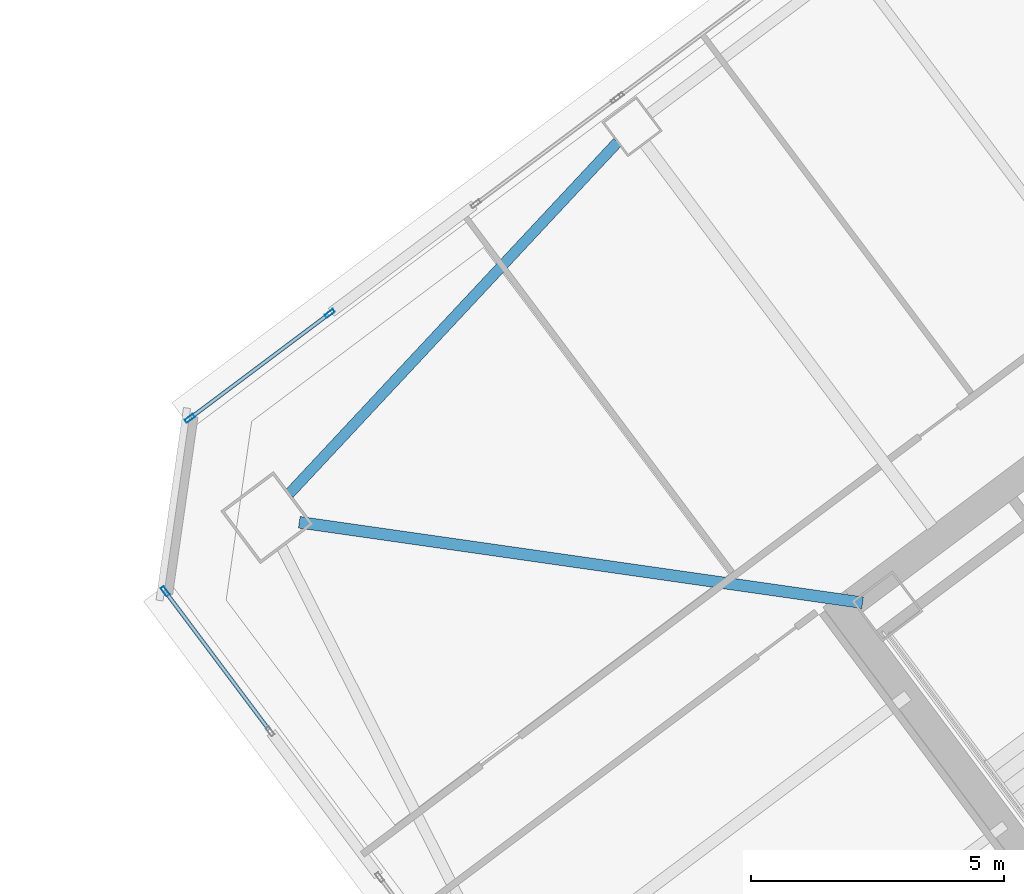
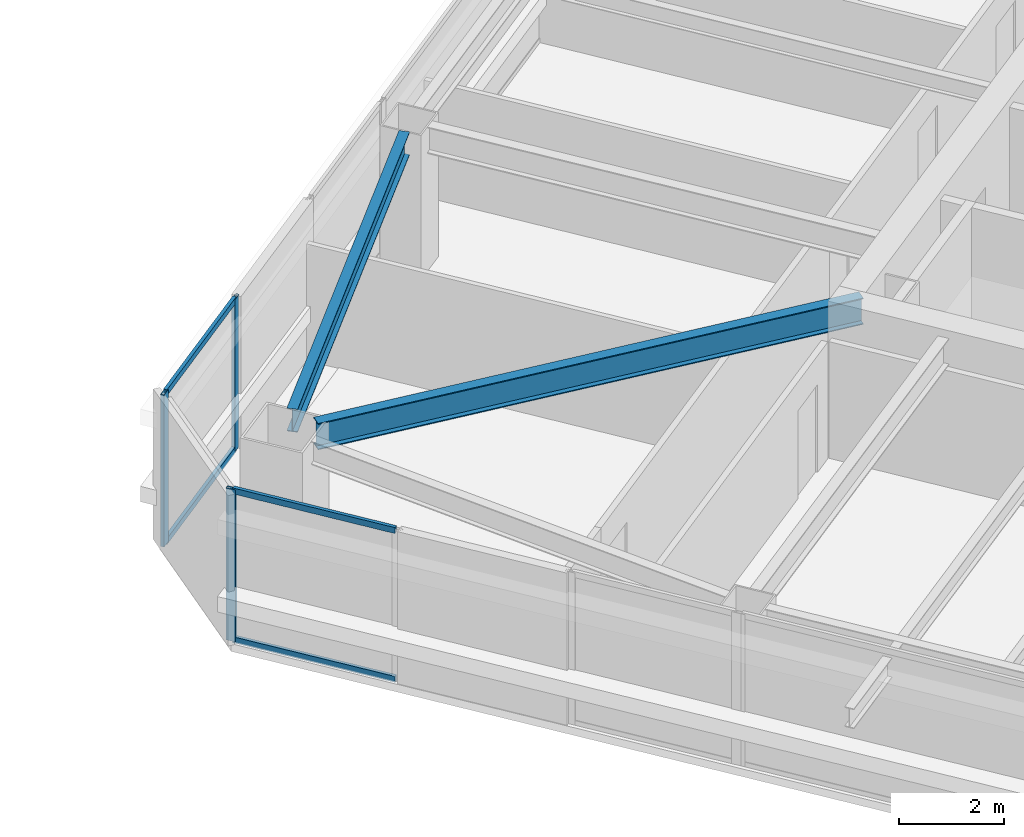
# One storey, part 25 of 46: 7 members, 2 beams, 2 elements without a shape of their own.
"""IFC4 building model written with IfcOpenShell, lengths in metres."""

from ifc_helpers import new_model, si_unit, direction, frame, origin, origin_2d, place, context, subcontext, project, spatial, hollow_rectangle, i_section, extrude, material, material_profile, profile_set, type_object, element, aggregate, save


model = new_model("IFC4")

# Units and contexts
model_context = context("Model", 3, precision=1e-05, world=origin(), true_north=direction((0.0, 1.0)))
body_context = subcontext(model_context, "Body", "Model", "MODEL_VIEW")
ifc_project = project(units=[si_unit("LENGTHUNIT", "METRE"), si_unit("AREAUNIT", "SQUARE_METRE"), si_unit("VOLUMEUNIT", "CUBIC_METRE"), si_unit("PLANEANGLEUNIT", "RADIAN"), si_unit("MASSUNIT", "GRAM", prefix="KILO")], contexts=[model_context])

# Site, building, storey
site_placement = place(None, origin())
site = spatial("IfcSite", under=ifc_project, at=site_placement, CompositionType="ELEMENT")
building_placement = place(site_placement, origin())
building = spatial("IfcBuilding", under=site, at=building_placement, Name="Tashvorn Skyway Center", CompositionType="ELEMENT")
storey_placement = place(building_placement, frame((0.0, 0.0, 139.25)))
storey = spatial("IfcBuildingStorey", under=building, at=storey_placement, Name="L37", CompositionType="ELEMENT", Elevation=139.25)

# Beams
ifc_material_1 = material(Name="Steel ASTM A992 Grade 50", Category="steel")
ifc_material_profile_1 = material_profile(ifc_material_1, i_section(OverallWidth=0.22998046875, OverallDepth=0.616943359375, WebThickness=0.01318359375, FlangeThickness=0.022216796875, at=origin_2d()), Name="W24X94")
ifc_profile_set_1 = profile_set([ifc_material_profile_1], Name="Steel ASTM A992 Grade 50")
beam_type_1 = type_object("IfcBeamType", Name="BM-BEAM-W24X94", PredefinedType="BEAM", material=ifc_profile_set_1)
beam_1_placement = place(storey_placement, frame((92.5185546875, 35.06884765625, 3.0615234375), z_axis=(0.989948189712, -0.141430483583, 0.0), x_axis=(0.141430483583, 0.989948189712, 0.0)))
element("IfcBeam", 1, at=beam_1_placement, inside=storey, type_object=beam_type_1, Name="Tower 2 L37 Primary Floor Girder MC-NW", PredefinedType="BEAM", context=body_context, shape_type="SweptSolid", body=[
    extrude(i_section(OverallWidth=0.22998046875, OverallDepth=0.616943359375, WebThickness=0.01318359375, FlangeThickness=0.022216796875, at=origin_2d()), origin(), (0.0, 0.0, 1.0), 11.234375),
])
ifc_material_profile_2 = material_profile(ifc_material_1, i_section(OverallWidth=0.2109375, OverallDepth=0.5390625, WebThickness=0.01171875, FlangeThickness=0.018798828125, at=origin_2d()), Name="W21X73")
ifc_profile_set_2 = profile_set([ifc_material_profile_2], Name="Steel ASTM A992 Grade 50")
beam_type_2 = type_object("IfcBeamType", Name="BM-SPANDREL-W21X73", PredefinedType="SPANDREL", material=ifc_profile_set_2)
beam_2_placement = place(storey_placement, frame((98.80322265625, 42.572998046875, 3.1005859375), z_axis=(-0.682545341102, -0.730843250868, 0.0), x_axis=(0.730843250868, -0.682545341102, 0.0)))
element("IfcBeam", 2, at=beam_2_placement, inside=storey, type_object=beam_type_2, Name="Tower 2 L37 Spandrel Beam 09", PredefinedType="SPANDREL", context=body_context, shape_type="SweptSolid", body=[
    extrude(i_section(OverallWidth=0.2109375, OverallDepth=0.5390625, WebThickness=0.01171875, FlangeThickness=0.018798828125, at=origin_2d()), origin(), (0.0, 0.0, 1.0), 9.498046875),
])

# Curtain wall, member
ifc_material_2 = material(Name="Thermally broken bronze-anodized aluminium 6063-T6", Category="aluminium")
curtain_wall_type = type_object("IfcCurtainWallType", Name="CW-CW-Z3", PredefinedType="NOTDEFINED", material=ifc_material_2)
curtain_wall_1_placement = place(storey_placement, origin())
curtain_wall_1 = element("IfcCurtainWall", 3, at=curtain_wall_1_placement, inside=storey, type_object=curtain_wall_type, Name="Tower 2 L37 West Unitised Curtain Wall Glazing Group 5", PredefinedType="NOTDEFINED")
ifc_material_profile_3 = material_profile(ifc_material_2, hollow_rectangle(XDim=0.074951171875, YDim=0.199951171875, WallThickness=0.00439453125, at=origin_2d()), Name="ALU-MULL-75x200")
ifc_profile_set_3 = profile_set([ifc_material_profile_3], Name="Thermally broken bronze-anodized aluminium 6063-T6")
member_type_1 = type_object("IfcMemberType", Name="CWM-CW-Z3", PredefinedType="MULLION", material=ifc_profile_set_3)
member_1_placement = place(storey_placement, frame((89.87060546875, 33.7060546875, 0.0), z_axis=(0.0, 0.0, 1.0), x_axis=(-0.800003400519, -0.599995465948, 0.0)))
member_1 = element("IfcMember", 4, at=member_1_placement, type_object=member_type_1, Name="CW-Z3 mullion 2", PredefinedType="MULLION", context=body_context, shape_type="SweptSolid", body=[
    extrude(hollow_rectangle(XDim=0.074951171875, YDim=0.199951171875, WallThickness=0.00439453125, at=origin_2d()), origin(), (0.0, 0.0, 1.0), 3.550048828125),
])

# Curtain wall, members
curtain_wall_2_placement = place(storey_placement, origin())
curtain_wall_2 = element("IfcCurtainWall", 5, at=curtain_wall_2_placement, inside=storey, type_object=curtain_wall_type, Name="Tower 2 L37 North Unitised Curtain Wall Glazing Group 1", PredefinedType="NOTDEFINED")
member_2_placement = place(storey_placement, frame((90.35791015625, 37.118408203125, 0.0), z_axis=(0.0, 0.0, 1.0), x_axis=(-0.599995465948, 0.800003400519, 0.0)))
member_2 = element("IfcMember", 6, at=member_2_placement, type_object=member_type_1, Name="CW-Z3 mullion 1", PredefinedType="MULLION", context=body_context, shape_type="SweptSolid", body=[
    extrude(hollow_rectangle(XDim=0.074951171875, YDim=0.199951171875, WallThickness=0.00439453125, at=origin_2d()), origin(), (0.0, 0.0, 1.0), 3.550048828125),
])
member_3_placement = place(storey_placement, frame((93.12109375, 39.19091796875, 0.0), z_axis=(0.0, 0.0, 1.0), x_axis=(-0.599995465948, 0.800003400519, 0.0)))
member_3 = element("IfcMember", 7, at=member_3_placement, type_object=member_type_1, Name="CW-Z3 mullion 2", PredefinedType="MULLION", context=body_context, shape_type="SweptSolid", body=[
    extrude(hollow_rectangle(XDim=0.074951171875, YDim=0.199951171875, WallThickness=0.00439453125, at=origin_2d()), origin(), (0.0, 0.0, 1.0), 3.550048828125),
])

# Member
ifc_material_profile_4 = material_profile(ifc_material_2, hollow_rectangle(XDim=0.074951171875, YDim=0.139892578125, WallThickness=0.004150390625, at=origin_2d()), Name="ALU-TRAN-75x140")
ifc_profile_set_4 = profile_set([ifc_material_profile_4], Name="Thermally broken bronze-anodized aluminium 6063-T6")
member_type_2 = type_object("IfcMemberType", Name="CWT-CW-Z3", PredefinedType="USERDEFINED", material=ifc_profile_set_4)
member_4_placement = place(storey_placement, frame((91.92041015625, 30.972900390625, 0.03759765625), z_axis=(-0.6, 0.8, 0.0), x_axis=(-0.8, -0.6, 0.0)))
member_4 = element("IfcMember", 8, at=member_4_placement, type_object=member_type_2, Name="CW-Z3 transom 1.1", ObjectType="TRANSOM", PredefinedType="USERDEFINED", context=body_context, shape_type="SweptSolid", body=[
    extrude(hollow_rectangle(XDim=0.074951171875, YDim=0.139892578125, WallThickness=0.004150390625, at=origin_2d()), origin(), (0.0, 0.0, 1.0), 3.37890625),
])

member_5_placement = place(storey_placement, frame((91.92041015625, 30.972900390625, 3.512451171875), z_axis=(-0.6, 0.8, 0.0), x_axis=(-0.8, -0.6, 0.0)))
member_5 = element("IfcMember", 9, at=member_5_placement, type_object=member_type_2, Name="CW-Z3 transom 1.2", ObjectType="TRANSOM", PredefinedType="USERDEFINED", context=body_context, shape_type="SweptSolid", body=[
    extrude(hollow_rectangle(XDim=0.074951171875, YDim=0.139892578125, WallThickness=0.004150390625, at=origin_2d()), origin(), (0.0, 0.0, 1.0), 3.37890625),
])

aggregate(curtain_wall_1, [member_1, member_4, member_5])

member_6_placement = place(storey_placement, frame((90.387939453125, 37.14111328125, 0.03759765625), z_axis=(0.800034682248, 0.599953754218, 0.0), x_axis=(-0.599953754218, 0.800034682248, 0.0)))
member_6 = element("IfcMember", 10, at=member_6_placement, type_object=member_type_2, Name="CW-Z3 transom 1.1", ObjectType="TRANSOM", PredefinedType="USERDEFINED", context=body_context, shape_type="SweptSolid", body=[
    extrude(hollow_rectangle(XDim=0.074951171875, YDim=0.139892578125, WallThickness=0.004150390625, at=origin_2d()), origin(), (0.0, 0.0, 1.0), 3.378662109375),
])

member_7_placement = place(storey_placement, frame((90.387939453125, 37.14111328125, 3.512451171875), z_axis=(0.800034682248, 0.599953754218, 0.0), x_axis=(-0.599953754218, 0.800034682248, 0.0)))
member_7 = element("IfcMember", 11, at=member_7_placement, type_object=member_type_2, Name="CW-Z3 transom 1.2", ObjectType="TRANSOM", PredefinedType="USERDEFINED", context=body_context, shape_type="SweptSolid", body=[
    extrude(hollow_rectangle(XDim=0.074951171875, YDim=0.139892578125, WallThickness=0.004150390625, at=origin_2d()), origin(), (0.0, 0.0, 1.0), 3.378662109375),
])

aggregate(curtain_wall_2, [member_2, member_3, member_6, member_7])

save(model, "model.ifc")
